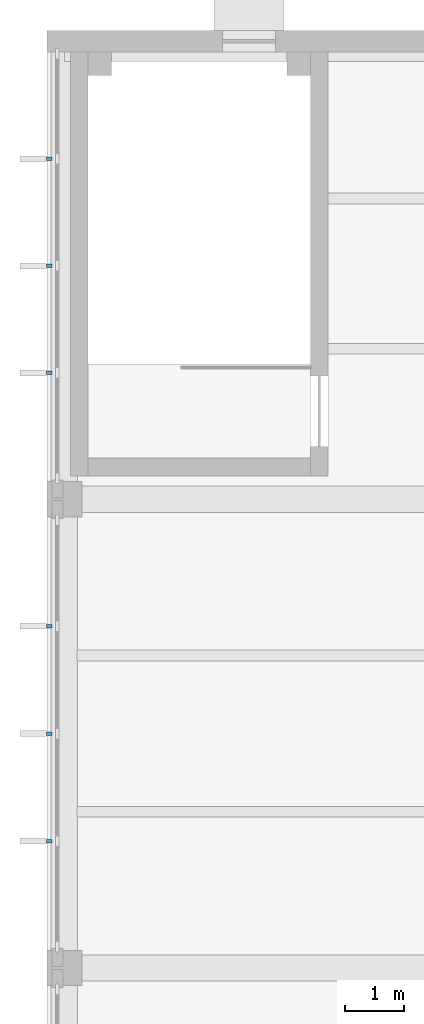
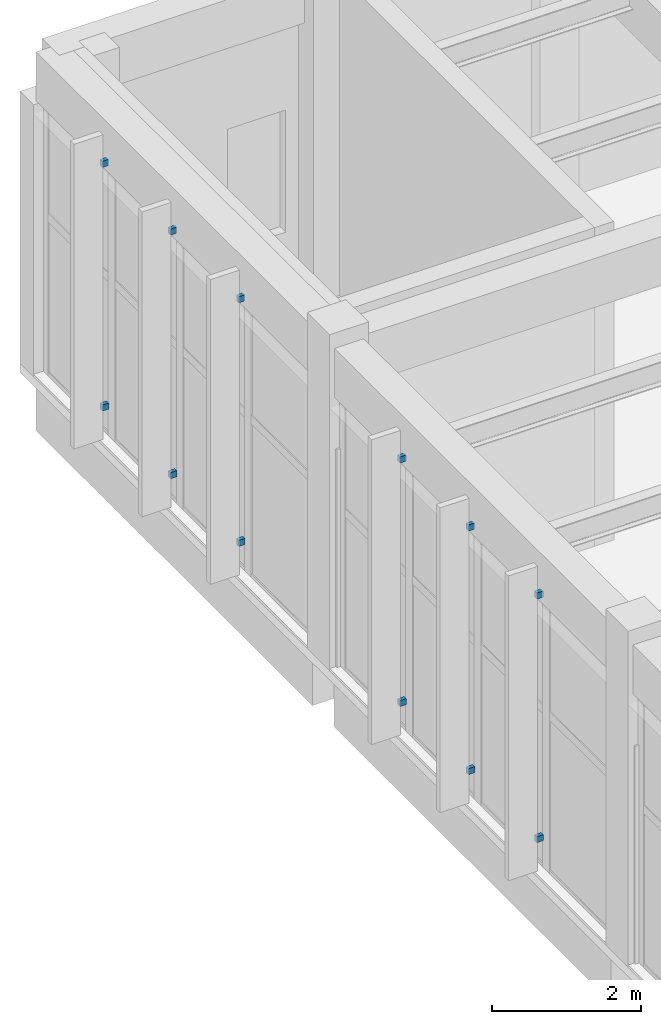
# One storey, part 78 of 94: 12 discrete accessories.
"""IFC4 building model written with IfcOpenShell, lengths in metres."""

import ifcopenshell
import ifcopenshell.guid

model = None  # the IFC model being written
_history = None  # IfcOwnerHistory: only IFC2X3 demands one
_inside = {}  # id of a spatial element -> (the spatial element, [elements in it])
_under = {}  # id of a project, library or spatial element -> (it, [spatial elements below it])
_declared = {}  # id of a project -> (the project, [libraries it declares])
_typed = {}  # id of a type object -> (the type object, [elements of that type])
_made_of = {}  # id of a material, layer set ... -> (it, [elements and type objects made of it])


def new_model(schema):
    """Start an empty IFC model of exactly this schema.

    Asked for "IFC4X3", IfcOpenShell would pick the latest addendum, in which some entities
    have other attributes; the version numbers below select the first issue.
    IFC2X3 requires an IfcOwnerHistory on every rooted entity: one is made here for all.
    """
    global model, _history
    if schema == "IFC4X3":
        model = ifcopenshell.file(schema_version=(4, 3, 0, 0))
    else:
        model = ifcopenshell.file(schema=schema)
    _inside.clear()
    _under.clear()
    _declared.clear()
    _typed.clear()
    _made_of.clear()
    _history = None
    if model.schema == "IFC2X3":
        org = make("IfcOrganization", Name="unknown")
        user = make(
            "IfcPersonAndOrganization",
            ThePerson=make("IfcPerson", FamilyName="unknown"),
            TheOrganization=org,
        )
        app = make(
            "IfcApplication",
            ApplicationDeveloper=org,
            Version="unknown",
            ApplicationFullName="unknown",
            ApplicationIdentifier="unknown",
        )
        _history = make(
            "IfcOwnerHistory",
            OwningUser=user,
            OwningApplication=app,
            ChangeAction="ADDED",
            CreationDate=0,
        )
    return model


def make(cls, **values):
    """One entity of the class cls with the attributes given. An attribute that is None is left unset."""
    return model.create_entity(
        cls, **{name: value for name, value in values.items() if value is not None}
    )


def rooted(cls, **values):
    """An entity with a GlobalId (a new one), such as an element, a storey or a relation."""
    return make(cls, GlobalId=ifcopenshell.guid.new(), OwnerHistory=_history, **values)


def si_unit(unit_type, name, prefix=None):
    """IfcSIUnit, for example si_unit("LENGTHUNIT", "METRE", prefix="MILLI")."""
    return make("IfcSIUnit", UnitType=unit_type, Prefix=prefix, Name=name)


def assignment(units):
    """IfcUnitAssignment: the units of a project."""
    return None if units is None else make("IfcUnitAssignment", Units=units)


def point(xyz):
    """IfcCartesianPoint."""
    return None if xyz is None else make("IfcCartesianPoint", Coordinates=xyz)


def direction(xyz):
    """IfcDirection."""
    return None if xyz is None else make("IfcDirection", DirectionRatios=xyz)


def frame(location, z_axis=None, x_axis=None):
    """IfcAxis2Placement3D, a coordinate frame: its origin and axes. An axis left out is left unset."""
    return make(
        "IfcAxis2Placement3D",
        Location=point(location),
        Axis=direction(z_axis),
        RefDirection=direction(x_axis),
    )


def frame_2d(location, x_axis=None):
    """IfcAxis2Placement2D, a coordinate frame in the plane: its origin and x axis."""
    return make(
        "IfcAxis2Placement2D", Location=point(location), RefDirection=direction(x_axis)
    )


def origin():
    """The frame at (0, 0, 0) with its axes left unset."""
    return frame((0.0, 0.0, 0.0))


def origin_2d():
    """The frame at (0, 0) in the plane with its x axis left unset."""
    return frame_2d((0.0, 0.0))


def place(relative_to, where):
    """IfcLocalPlacement: puts the frame where relative to a parent placement (None: the world)."""
    return make(
        "IfcLocalPlacement", PlacementRelTo=relative_to, RelativePlacement=where
    )


def context(
    kind, dimensions, precision=None, world=None, true_north=None, identifier=None
):
    """IfcGeometricRepresentationContext, for example the 3D "Model" context."""
    return make(
        "IfcGeometricRepresentationContext",
        ContextIdentifier=identifier,
        ContextType=kind,
        CoordinateSpaceDimension=dimensions,
        Precision=precision,
        WorldCoordinateSystem=world,
        TrueNorth=true_north,
    )


def subcontext(parent, identifier, kind, view, scale=None):
    """IfcGeometricRepresentationSubContext, for example "Body" below "Model"."""
    return make(
        "IfcGeometricRepresentationSubContext",
        ContextIdentifier=identifier,
        ContextType=kind,
        ParentContext=parent,
        TargetScale=scale,
        TargetView=view,
    )


def project(units=None, contexts=None):
    """IfcProject with its units and contexts."""
    return rooted(
        "IfcProject",
        Name="project",
        RepresentationContexts=contexts,
        UnitsInContext=assignment(units),
    )


def spatial(cls, under=None, at=None, **own):
    """A site, building, storey or space (cls), placed at a placement, below another one or the project."""
    s = rooted(cls, ObjectPlacement=at, **own)
    if under is not None:
        _under.setdefault(under.id(), (under, []))[1].append(s)
    return s


def profile(cls, at=None, kind="AREA", **sizes):
    """A parametric profile (cls). Its sizes go by their IFC names, for example OverallWidth=200.0."""
    return make(cls, ProfileType=kind, Position=at, **sizes)


def rectangle(**sizes):
    """IfcRectangleProfileDef."""
    return profile("IfcRectangleProfileDef", **sizes)


def extrude(swept, where, along, depth):
    """IfcExtrudedAreaSolid: the profile swept, set in the frame where, extruded along a direction by depth."""
    return make(
        "IfcExtrudedAreaSolid",
        SweptArea=swept,
        Position=where,
        ExtrudedDirection=direction(along),
        Depth=depth,
    )


def shape(context_of_items, identifier, shape_type, items):
    """IfcShapeRepresentation: the items that make up one representation, for example the "Body"."""
    return make(
        "IfcShapeRepresentation",
        ContextOfItems=context_of_items,
        RepresentationIdentifier=identifier,
        RepresentationType=shape_type,
        Items=items,
    )


def material(Name=None, Category=None):
    """IfcMaterial."""
    return make("IfcMaterial", Name=Name, Category=Category)


def made_of(thing, what):
    """Note that an element or type object is made of a material, layer set ...; save() writes the relation."""
    if what is not None:
        _made_of.setdefault(what.id(), (what, []))[1].append(thing)
    return thing


def type_object(cls, material=None, **own):
    """A type object (cls), such as IfcWallType, which elements share."""
    return made_of(rooted(cls, **own), material)


def element(
    cls,
    number,
    at=None,
    inside=None,
    cuts=None,
    type_object=None,
    material=None,
    context=None,
    identifier="Body",
    shape_type=None,
    held_by="IfcProductDefinitionShape",
    body=None,
    shapes=None,
    **own,
):
    """One element of the class cls, such as IfcWall. Its Tag is "e" and its number.

    at: its placement. inside: the storey or other place that contains it. cuts: it is an
    opening in that element (IfcRelVoidsElement). A single representation is given by context,
    identifier, shape_type and body (its items); several are given by shapes. held_by: the class
    of the entity that holds the representations. save() writes the other relations.
    """
    e = rooted(cls, Tag="e%d" % number, ObjectPlacement=at, **own)
    if body is not None:
        shapes = [shape(context, identifier, shape_type, body)]
    if shapes is not None:
        e.Representation = make(held_by, Representations=shapes)
    if inside is not None:
        _inside.setdefault(inside.id(), (inside, []))[1].append(e)
    if cuts is not None:
        rooted(
            "IfcRelVoidsElement", RelatingBuildingElement=cuts, RelatedOpeningElement=e
        )
    if type_object is not None:
        _typed.setdefault(type_object.id(), (type_object, []))[1].append(e)
    return made_of(e, material)


def aggregate(whole, parts):
    """IfcRelAggregates: a whole, such as a stair, and the parts it consists of."""
    return rooted("IfcRelAggregates", RelatingObject=whole, RelatedObjects=parts)


def save(model, path):
    """Write the relations noted so far, then the file.

    IfcRelAggregates (storeys below a building ...), IfcRelContainedInSpatialStructure (elements
    in a storey), IfcRelDefinesByType, IfcRelAssociatesMaterial and IfcRelDeclares: one each for
    every whole, place, type object, material and project.
    """
    for whole, parts in _under.values():
        aggregate(whole, parts)
    for where, things in _inside.values():
        rooted(
            "IfcRelContainedInSpatialStructure",
            RelatedElements=things,
            RelatingStructure=where,
        )
    for kind, things in _typed.values():
        rooted("IfcRelDefinesByType", RelatedObjects=things, RelatingType=kind)
    for what, things in _made_of.values():
        rooted("IfcRelAssociatesMaterial", RelatedObjects=things, RelatingMaterial=what)
    for by, libraries in _declared.values():
        rooted("IfcRelDeclares", RelatingContext=by, RelatedDefinitions=libraries)
    model.write(path)


model = new_model("IFC4")

# Units and contexts
model_context = context("Model", 3, precision=1e-05, world=origin(), true_north=direction((0.0, 1.0)))
body_context = subcontext(model_context, "Body", "Model", "MODEL_VIEW")
ifc_project = project(units=[si_unit("LENGTHUNIT", "METRE"), si_unit("AREAUNIT", "SQUARE_METRE"), si_unit("VOLUMEUNIT", "CUBIC_METRE"), si_unit("PLANEANGLEUNIT", "RADIAN"), si_unit("MASSUNIT", "GRAM", prefix="KILO")], contexts=[model_context])

# Site, building, storey
site_placement = place(None, origin())
site = spatial("IfcSite", under=ifc_project, at=site_placement, CompositionType="ELEMENT")
building_placement = place(site_placement, origin())
building = spatial("IfcBuilding", under=site, at=building_placement, Name="Lunette Opera House", CompositionType="ELEMENT")
storey_placement = place(building_placement, frame((0.0, 0.0, 22.5)))
storey = spatial("IfcBuildingStorey", under=building, at=storey_placement, Name="L04", CompositionType="ELEMENT", Elevation=22.5)

# Discrete accessories
ifc_material = material(Name="Galvanised steel", Category="steel")
discrete_accessory_type = type_object("IfcDiscreteAccessoryType", Name="FIN BRACKET STEEL", PredefinedType="BRACKET", material=ifc_material)
for number, where, z_axis, x_axis, name in (
    (1, (8.0419921875, 109.80908203125, 0.56494140625), (0.0, 0.0, 1.0), (-1.0, 0.0, 0.0), "Fin bracket RW-X2061 1 1"),
    (2, (8.0419921875, 109.80908203125, 4.550048828125), (0.0, 0.0, 1.0), (-1.0, 0.0, 0.0), "Fin bracket RW-X2061 1 2"),
    (3, (8.0419921875, 107.98291015625, 0.56494140625), (0.0, 0.0, 1.0), (-1.0, 0.0, 0.0), "Fin bracket RW-X2061 2 1"),
    (4, (8.0419921875, 107.98291015625, 4.550048828125), (0.0, 0.0, 1.0), (-1.0, 0.0, 0.0), "Fin bracket RW-X2061 2 2"),
    (5, (8.0419921875, 106.156005859375, 0.56494140625), (0.0, 0.0, 1.0), (-1.0, 0.0, 0.0), "Fin bracket RW-X2061 3 1"),
    (6, (8.0419921875, 106.156005859375, 4.550048828125), (0.0, 0.0, 1.0), (-1.0, 0.0, 0.0), "Fin bracket RW-X2061 3 2"),
    (7, (8.0419921875, 101.8349609375, 0.56494140625), (0.0, 0.0, 1.0), (-1.0, 0.0, 0.0), "Fin bracket RW-X2062 1 1"),
    (8, (8.0419921875, 101.8349609375, 4.550048828125), (0.0, 0.0, 1.0), (-1.0, 0.0, 0.0), "Fin bracket RW-X2062 1 2"),
    (9, (8.0419921875, 100.0, 0.56494140625), (0.0, 0.0, 1.0), (-1.0, 0.0, 0.0), "Fin bracket RW-X2062 2 1"),
    (10, (8.0419921875, 100.0, 4.550048828125), (0.0, 0.0, 1.0), (-1.0, 0.0, 0.0), "Fin bracket RW-X2062 2 2"),
    (11, (8.0419921875, 98.1650390625, 0.56494140625), (0.0, 0.0, 1.0), (-1.0, 0.0, 0.0), "Fin bracket RW-X2062 3 1"),
    (12, (8.0419921875, 98.1650390625, 4.550048828125), (0.0, 0.0, 1.0), (-1.0, 0.0, 0.0), "Fin bracket RW-X2062 3 2"),
):
    element("IfcDiscreteAccessory", number, at=place(storey_placement, frame(where, z_axis=z_axis, x_axis=x_axis)), inside=storey, type_object=discrete_accessory_type, Name=name, PredefinedType="BRACKET", context=body_context, shape_type="SweptSolid", body=[
        extrude(rectangle(XDim=0.10009765625, YDim=0.06005859375, at=origin_2d()), origin(), (0.0, 0.0, 1.0), 0.10009765625),
    ])

save(model, "model.ifc")
